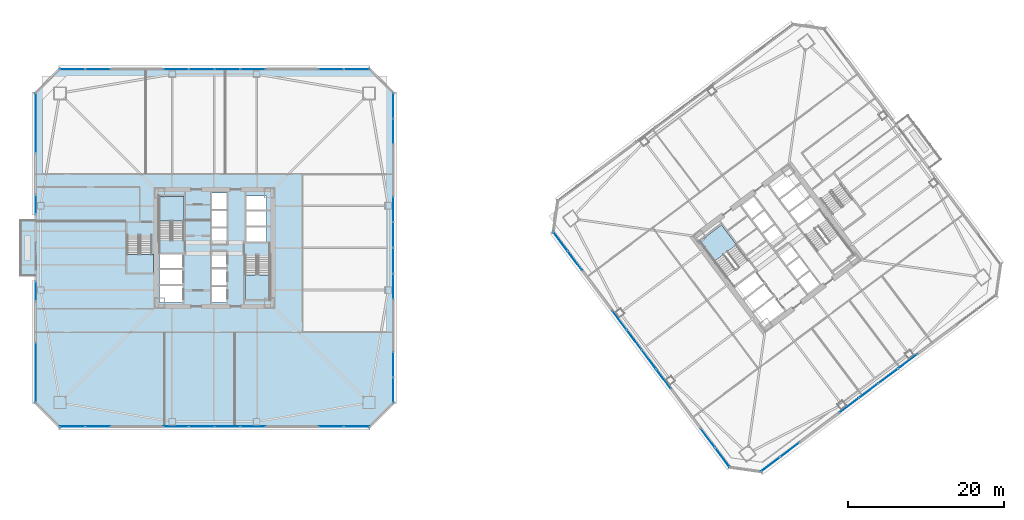
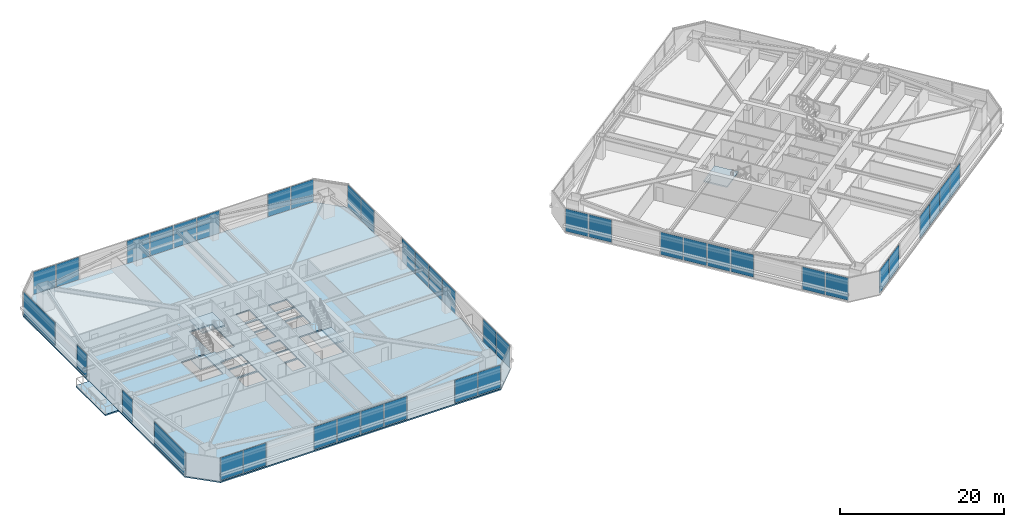
# One storey, part 33 of 47: 42 plates, 6 slabs, 22 elements without a shape of their own.
"""IFC4 building model written with IfcOpenShell, lengths in metres."""

from ifc_helpers import new_model, si_unit, direction, frame, origin, origin_2d, place, context, subcontext, project, spatial, polyline, rectangle, outline, extrude, material, layer, layer_set, type_object, element, aggregate, save


model = new_model("IFC4")

# Units and contexts
model_context = context("Model", 3, precision=1e-05, world=origin(), true_north=direction((0.0, 1.0)))
body_context = subcontext(model_context, "Body", "Model", "MODEL_VIEW")
ifc_project = project(units=[si_unit("LENGTHUNIT", "METRE"), si_unit("AREAUNIT", "SQUARE_METRE"), si_unit("VOLUMEUNIT", "CUBIC_METRE"), si_unit("PLANEANGLEUNIT", "RADIAN"), si_unit("MASSUNIT", "GRAM", prefix="KILO")], contexts=[model_context])

# Site, building, storey
site_placement = place(None, origin())
site = spatial("IfcSite", under=ifc_project, at=site_placement, CompositionType="ELEMENT")
building_placement = place(site_placement, origin())
building = spatial("IfcBuilding", under=site, at=building_placement, Name="Tashvorn Skyway Center", CompositionType="ELEMENT")
storey_placement = place(building_placement, frame((0.0, 0.0, 42.35009765625)))
storey = spatial("IfcBuildingStorey", under=building, at=storey_placement, Name="L10", CompositionType="ELEMENT", Elevation=42.35009765625)

# Curtain wall, plates
ifc_material_1 = material(Name="Thermally broken bronze-anodized aluminium 6063-T6", Category="aluminium")
curtain_wall_type = type_object("IfcCurtainWallType", Name="CW-CW-Z1", PredefinedType="NOTDEFINED", material=ifc_material_1)
curtain_wall_1_placement = place(storey_placement, origin())
curtain_wall_1 = element("IfcCurtainWall", 1, at=curtain_wall_1_placement, inside=storey, type_object=curtain_wall_type, Name="Tower 1 L10 South Unitised Curtain Wall Glazing Group 1", PredefinedType="NOTDEFINED")
ifc_material_2 = material(Name="Low-E solar-control double insulating safety glass", Category="glass")
ifc_layer_1 = layer(ifc_material_2, 0.048095703125)
ifc_layer_set_1 = layer_set([ifc_layer_1], Name="Low-E solar-control double insulating safety glass")
plate_type = type_object("IfcPlateType", Name="CWP-CW-Z1", PredefinedType="CURTAIN_PANEL", material=ifc_layer_set_1)
plate_1_placement = place(storey_placement, frame((60.2021484375, 9.1201171875, 0.0849609375), z_axis=(0.0, 0.0, 1.0), x_axis=(-1.0, 0.0, 0.0)))
plate_1 = element("IfcPlate", 2, at=plate_1_placement, type_object=plate_type, Name="CW-Z1 panel 1.1", PredefinedType="CURTAIN_PANEL", context=body_context, shape_type="SweptSolid", body=[
    extrude(rectangle(XDim=3.185791015625, YDim=0.048095703125, at=origin_2d()), origin(), (0.0, 0.0, 1.0), 3.3798828125),
])
plate_2_placement = place(storey_placement, frame((56.93115234375, 9.1201171875, 0.0849609375), z_axis=(0.0, 0.0, 1.0), x_axis=(-1.0, 0.0, 0.0)))
plate_2 = element("IfcPlate", 3, at=plate_2_placement, type_object=plate_type, Name="CW-Z1 panel 2.1", PredefinedType="CURTAIN_PANEL", context=body_context, shape_type="SweptSolid", body=[
    extrude(rectangle(XDim=3.185791015625, YDim=0.048095703125, at=origin_2d()), origin(), (0.0, 0.0, 1.0), 3.3798828125),
])
aggregate(curtain_wall_1, [plate_1, plate_2])

curtain_wall_2_placement = place(storey_placement, origin())
curtain_wall_2 = element("IfcCurtainWall", 4, at=curtain_wall_2_placement, inside=storey, type_object=curtain_wall_type, Name="Tower 1 L10 South Unitised Curtain Wall Glazing Group 2", PredefinedType="NOTDEFINED")
plate_3_placement = place(storey_placement, frame((46.94873046875, 9.1201171875, 0.0849609375), z_axis=(0.0, 0.0, 1.0), x_axis=(-1.0, 0.0, 0.0)))
plate_3 = element("IfcPlate", 5, at=plate_3_placement, type_object=plate_type, Name="CW-Z1 panel 1.1", PredefinedType="CURTAIN_PANEL", context=body_context, shape_type="SweptSolid", body=[
    extrude(rectangle(XDim=3.185791015625, YDim=0.048095703125, at=origin_2d()), origin(), (0.0, 0.0, 1.0), 3.3798828125),
])
plate_4_placement = place(storey_placement, frame((43.65673828125, 9.1201171875, 0.0849609375), z_axis=(0.0, 0.0, 1.0), x_axis=(-1.0, 0.0, 0.0)))
plate_4 = element("IfcPlate", 6, at=plate_4_placement, type_object=plate_type, Name="CW-Z1 panel 2.1", PredefinedType="CURTAIN_PANEL", context=body_context, shape_type="SweptSolid", body=[
    extrude(rectangle(XDim=3.228271484375, YDim=0.048095703125, at=origin_2d()), origin(), (0.0, 0.0, 1.0), 3.3798828125),
])
plate_5_placement = place(storey_placement, frame((40.34326171875, 9.1201171875, 0.0849609375), z_axis=(0.0, 0.0, 1.0), x_axis=(-1.0, 0.0, 0.0)))
plate_5 = element("IfcPlate", 7, at=plate_5_placement, type_object=plate_type, Name="CW-Z1 panel 3.1", PredefinedType="CURTAIN_PANEL", context=body_context, shape_type="SweptSolid", body=[
    extrude(rectangle(XDim=3.228271484375, YDim=0.048095703125, at=origin_2d()), origin(), (0.0, 0.0, 1.0), 3.3798828125),
])
plate_6_placement = place(storey_placement, frame((37.05126953125, 9.1201171875, 0.0849609375), z_axis=(0.0, 0.0, 1.0), x_axis=(-1.0, 0.0, 0.0)))
plate_6 = element("IfcPlate", 8, at=plate_6_placement, type_object=plate_type, Name="CW-Z1 panel 4.1", PredefinedType="CURTAIN_PANEL", context=body_context, shape_type="SweptSolid", body=[
    extrude(rectangle(XDim=3.185791015625, YDim=0.048095703125, at=origin_2d()), origin(), (0.0, 0.0, 1.0), 3.3798828125),
])
aggregate(curtain_wall_2, [plate_3, plate_4, plate_5, plate_6])

curtain_wall_3_placement = place(storey_placement, origin())
curtain_wall_3 = element("IfcCurtainWall", 9, at=curtain_wall_3_placement, inside=storey, type_object=curtain_wall_type, Name="Tower 1 L10 South Unitised Curtain Wall Glazing Group 3", PredefinedType="NOTDEFINED")
plate_7_placement = place(storey_placement, frame((27.06884765625, 9.1201171875, 0.0849609375), z_axis=(0.0, 0.0, 1.0), x_axis=(-1.0, 0.0, 0.0)))
plate_7 = element("IfcPlate", 10, at=plate_7_placement, type_object=plate_type, Name="CW-Z1 panel 1.1", PredefinedType="CURTAIN_PANEL", context=body_context, shape_type="SweptSolid", body=[
    extrude(rectangle(XDim=3.185791015625, YDim=0.048095703125, at=origin_2d()), origin(), (0.0, 0.0, 1.0), 3.3798828125),
])
plate_8_placement = place(storey_placement, frame((23.7978515625, 9.1201171875, 0.0849609375), z_axis=(0.0, 0.0, 1.0), x_axis=(-1.0, 0.0, 0.0)))
plate_8 = element("IfcPlate", 11, at=plate_8_placement, type_object=plate_type, Name="CW-Z1 panel 2.1", PredefinedType="CURTAIN_PANEL", context=body_context, shape_type="SweptSolid", body=[
    extrude(rectangle(XDim=3.185791015625, YDim=0.048095703125, at=origin_2d()), origin(), (0.0, 0.0, 1.0), 3.3798828125),
])
aggregate(curtain_wall_3, [plate_7, plate_8])

# Curtain wall, plate
curtain_wall_4_placement = place(storey_placement, origin())
curtain_wall_4 = element("IfcCurtainWall", 12, at=curtain_wall_4_placement, inside=storey, type_object=curtain_wall_type, Name="Tower 1 L10 West Curtain Wall L Glazing Group 1", PredefinedType="NOTDEFINED")
plate_9_placement = place(storey_placement, frame((19.1201171875, 16.027587890625, 0.0849609375), z_axis=(0.0, 0.0, 1.0), x_axis=(0.0, 1.0, 0.0)))
plate_9 = element("IfcPlate", 13, at=plate_9_placement, type_object=plate_type, Name="CW-Z1 panel 1.1", PredefinedType="CURTAIN_PANEL", context=body_context, shape_type="SweptSolid", body=[
    extrude(rectangle(XDim=7.64501953125, YDim=0.048095703125, at=origin_2d()), origin(), (0.0, 0.0, 1.0), 3.3798828125),
])
aggregate(curtain_wall_4, [plate_9])

curtain_wall_5_placement = place(storey_placement, origin())
curtain_wall_5 = element("IfcCurtainWall", 14, at=curtain_wall_5_placement, inside=storey, type_object=curtain_wall_type, Name="Tower 1 L10 West Curtain Wall L Glazing Group 2", PredefinedType="NOTDEFINED")
plate_10_placement = place(storey_placement, frame((19.1201171875, 26.447509765625, 0.0849609375), z_axis=(0.0, 0.0, 1.0), x_axis=(0.0, 1.0, 0.0)))
plate_10 = element("IfcPlate", 15, at=plate_10_placement, type_object=plate_type, Name="CW-Z1 panel 1.1", PredefinedType="CURTAIN_PANEL", context=body_context, shape_type="SweptSolid", body=[
    extrude(rectangle(XDim=2.43505859375, YDim=0.048095703125, at=origin_2d()), origin(), (0.0, 0.0, 1.0), 3.3798828125),
])
aggregate(curtain_wall_5, [plate_10])

curtain_wall_6_placement = place(storey_placement, origin())
curtain_wall_6 = element("IfcCurtainWall", 16, at=curtain_wall_6_placement, inside=storey, type_object=curtain_wall_type, Name="Tower 1 L10 West Curtain Wall R Glazing Group 1", PredefinedType="NOTDEFINED")
plate_11_placement = place(storey_placement, frame((19.1201171875, 37.552490234375, 0.0849609375), z_axis=(0.0, 0.0, 1.0), x_axis=(0.0, 1.0, 0.0)))
plate_11 = element("IfcPlate", 17, at=plate_11_placement, type_object=plate_type, Name="CW-Z1 panel 1.1", PredefinedType="CURTAIN_PANEL", context=body_context, shape_type="SweptSolid", body=[
    extrude(rectangle(XDim=2.43505859375, YDim=0.048095703125, at=origin_2d()), origin(), (0.0, 0.0, 1.0), 3.3798828125),
])
aggregate(curtain_wall_6, [plate_11])

curtain_wall_7_placement = place(storey_placement, origin())
curtain_wall_7 = element("IfcCurtainWall", 18, at=curtain_wall_7_placement, inside=storey, type_object=curtain_wall_type, Name="Tower 1 L10 West Curtain Wall R Glazing Group 2", PredefinedType="NOTDEFINED")
plate_12_placement = place(storey_placement, frame((19.1201171875, 47.972412109375, 0.0849609375), z_axis=(0.0, 0.0, 1.0), x_axis=(0.0, 1.0, 0.0)))
plate_12 = element("IfcPlate", 19, at=plate_12_placement, type_object=plate_type, Name="CW-Z1 panel 1.1", PredefinedType="CURTAIN_PANEL", context=body_context, shape_type="SweptSolid", body=[
    extrude(rectangle(XDim=7.64501953125, YDim=0.048095703125, at=origin_2d()), origin(), (0.0, 0.0, 1.0), 3.3798828125),
])
aggregate(curtain_wall_7, [plate_12])

# Curtain wall, plates
curtain_wall_8_placement = place(storey_placement, origin())
curtain_wall_8 = element("IfcCurtainWall", 20, at=curtain_wall_8_placement, inside=storey, type_object=curtain_wall_type, Name="Tower 1 L10 North Unitised Curtain Wall Glazing Group 1", PredefinedType="NOTDEFINED")
plate_13_placement = place(storey_placement, frame((23.7978515625, 54.8798828125, 0.0849609375), z_axis=(0.0, 0.0, 1.0), x_axis=(1.0, 0.0, 0.0)))
plate_13 = element("IfcPlate", 21, at=plate_13_placement, type_object=plate_type, Name="CW-Z1 panel 1.1", PredefinedType="CURTAIN_PANEL", context=body_context, shape_type="SweptSolid", body=[
    extrude(rectangle(XDim=3.185791015625, YDim=0.048095703125, at=origin_2d()), origin(), (0.0, 0.0, 1.0), 3.3798828125),
])
plate_14_placement = place(storey_placement, frame((27.06884765625, 54.8798828125, 0.0849609375), z_axis=(0.0, 0.0, 1.0), x_axis=(1.0, 0.0, 0.0)))
plate_14 = element("IfcPlate", 22, at=plate_14_placement, type_object=plate_type, Name="CW-Z1 panel 2.1", PredefinedType="CURTAIN_PANEL", context=body_context, shape_type="SweptSolid", body=[
    extrude(rectangle(XDim=3.185791015625, YDim=0.048095703125, at=origin_2d()), origin(), (0.0, 0.0, 1.0), 3.3798828125),
])
aggregate(curtain_wall_8, [plate_13, plate_14])

curtain_wall_9_placement = place(storey_placement, origin())
curtain_wall_9 = element("IfcCurtainWall", 23, at=curtain_wall_9_placement, inside=storey, type_object=curtain_wall_type, Name="Tower 1 L10 North Unitised Curtain Wall Glazing Group 2", PredefinedType="NOTDEFINED")
plate_15_placement = place(storey_placement, frame((37.05126953125, 54.8798828125, 0.0849609375), z_axis=(0.0, 0.0, 1.0), x_axis=(1.0, 0.0, 0.0)))
plate_15 = element("IfcPlate", 24, at=plate_15_placement, type_object=plate_type, Name="CW-Z1 panel 1.1", PredefinedType="CURTAIN_PANEL", context=body_context, shape_type="SweptSolid", body=[
    extrude(rectangle(XDim=3.185791015625, YDim=0.048095703125, at=origin_2d()), origin(), (0.0, 0.0, 1.0), 3.3798828125),
])
plate_16_placement = place(storey_placement, frame((40.34326171875, 54.8798828125, 0.0849609375), z_axis=(0.0, 0.0, 1.0), x_axis=(1.0, 0.0, 0.0)))
plate_16 = element("IfcPlate", 25, at=plate_16_placement, type_object=plate_type, Name="CW-Z1 panel 2.1", PredefinedType="CURTAIN_PANEL", context=body_context, shape_type="SweptSolid", body=[
    extrude(rectangle(XDim=3.228271484375, YDim=0.048095703125, at=origin_2d()), origin(), (0.0, 0.0, 1.0), 3.3798828125),
])
plate_17_placement = place(storey_placement, frame((43.65673828125, 54.8798828125, 0.0849609375), z_axis=(0.0, 0.0, 1.0), x_axis=(1.0, 0.0, 0.0)))
plate_17 = element("IfcPlate", 26, at=plate_17_placement, type_object=plate_type, Name="CW-Z1 panel 3.1", PredefinedType="CURTAIN_PANEL", context=body_context, shape_type="SweptSolid", body=[
    extrude(rectangle(XDim=3.228271484375, YDim=0.048095703125, at=origin_2d()), origin(), (0.0, 0.0, 1.0), 3.3798828125),
])
plate_18_placement = place(storey_placement, frame((46.94873046875, 54.8798828125, 0.0849609375), z_axis=(0.0, 0.0, 1.0), x_axis=(1.0, 0.0, 0.0)))
plate_18 = element("IfcPlate", 27, at=plate_18_placement, type_object=plate_type, Name="CW-Z1 panel 4.1", PredefinedType="CURTAIN_PANEL", context=body_context, shape_type="SweptSolid", body=[
    extrude(rectangle(XDim=3.185791015625, YDim=0.048095703125, at=origin_2d()), origin(), (0.0, 0.0, 1.0), 3.3798828125),
])
aggregate(curtain_wall_9, [plate_15, plate_16, plate_17, plate_18])

curtain_wall_10_placement = place(storey_placement, origin())
curtain_wall_10 = element("IfcCurtainWall", 28, at=curtain_wall_10_placement, inside=storey, type_object=curtain_wall_type, Name="Tower 1 L10 North Unitised Curtain Wall Glazing Group 3", PredefinedType="NOTDEFINED")
plate_19_placement = place(storey_placement, frame((56.93115234375, 54.8798828125, 0.0849609375), z_axis=(0.0, 0.0, 1.0), x_axis=(1.0, 0.0, 0.0)))
plate_19 = element("IfcPlate", 29, at=plate_19_placement, type_object=plate_type, Name="CW-Z1 panel 1.1", PredefinedType="CURTAIN_PANEL", context=body_context, shape_type="SweptSolid", body=[
    extrude(rectangle(XDim=3.185791015625, YDim=0.048095703125, at=origin_2d()), origin(), (0.0, 0.0, 1.0), 3.3798828125),
])
plate_20_placement = place(storey_placement, frame((60.2021484375, 54.8798828125, 0.0849609375), z_axis=(0.0, 0.0, 1.0), x_axis=(1.0, 0.0, 0.0)))
plate_20 = element("IfcPlate", 30, at=plate_20_placement, type_object=plate_type, Name="CW-Z1 panel 2.1", PredefinedType="CURTAIN_PANEL", context=body_context, shape_type="SweptSolid", body=[
    extrude(rectangle(XDim=3.185791015625, YDim=0.048095703125, at=origin_2d()), origin(), (0.0, 0.0, 1.0), 3.3798828125),
])
aggregate(curtain_wall_10, [plate_19, plate_20])

curtain_wall_11_placement = place(storey_placement, origin())
curtain_wall_11 = element("IfcCurtainWall", 31, at=curtain_wall_11_placement, inside=storey, type_object=curtain_wall_type, Name="Tower 1 L10 East Unitised Curtain Wall Glazing Group 1", PredefinedType="NOTDEFINED")
plate_21_placement = place(storey_placement, frame((64.8798828125, 50.2021484375, 0.0849609375), z_axis=(0.0, 0.0, 1.0), x_axis=(0.0, -1.0, 0.0)))
plate_21 = element("IfcPlate", 32, at=plate_21_placement, type_object=plate_type, Name="CW-Z1 panel 1.1", PredefinedType="CURTAIN_PANEL", context=body_context, shape_type="SweptSolid", body=[
    extrude(rectangle(XDim=3.185791015625, YDim=0.048095703125, at=origin_2d()), origin(), (0.0, 0.0, 1.0), 3.3798828125),
])
plate_22_placement = place(storey_placement, frame((64.8798828125, 46.93115234375, 0.0849609375), z_axis=(0.0, 0.0, 1.0), x_axis=(0.0, -1.0, 0.0)))
plate_22 = element("IfcPlate", 33, at=plate_22_placement, type_object=plate_type, Name="CW-Z1 panel 2.1", PredefinedType="CURTAIN_PANEL", context=body_context, shape_type="SweptSolid", body=[
    extrude(rectangle(XDim=3.185791015625, YDim=0.048095703125, at=origin_2d()), origin(), (0.0, 0.0, 1.0), 3.3798828125),
])
aggregate(curtain_wall_11, [plate_21, plate_22])

curtain_wall_12_placement = place(storey_placement, origin())
curtain_wall_12 = element("IfcCurtainWall", 34, at=curtain_wall_12_placement, inside=storey, type_object=curtain_wall_type, Name="Tower 1 L10 East Unitised Curtain Wall Glazing Group 2", PredefinedType="NOTDEFINED")
plate_23_placement = place(storey_placement, frame((64.8798828125, 36.94873046875, 0.0849609375), z_axis=(0.0, 0.0, 1.0), x_axis=(0.0, -1.0, 0.0)))
plate_23 = element("IfcPlate", 35, at=plate_23_placement, type_object=plate_type, Name="CW-Z1 panel 1.1", PredefinedType="CURTAIN_PANEL", context=body_context, shape_type="SweptSolid", body=[
    extrude(rectangle(XDim=3.185791015625, YDim=0.048095703125, at=origin_2d()), origin(), (0.0, 0.0, 1.0), 3.3798828125),
])
plate_24_placement = place(storey_placement, frame((64.8798828125, 33.65673828125, 0.0849609375), z_axis=(0.0, 0.0, 1.0), x_axis=(0.0, -1.0, 0.0)))
plate_24 = element("IfcPlate", 36, at=plate_24_placement, type_object=plate_type, Name="CW-Z1 panel 2.1", PredefinedType="CURTAIN_PANEL", context=body_context, shape_type="SweptSolid", body=[
    extrude(rectangle(XDim=3.228271484375, YDim=0.048095703125, at=origin_2d()), origin(), (0.0, 0.0, 1.0), 3.3798828125),
])
plate_25_placement = place(storey_placement, frame((64.8798828125, 30.34326171875, 0.0849609375), z_axis=(0.0, 0.0, 1.0), x_axis=(0.0, -1.0, 0.0)))
plate_25 = element("IfcPlate", 37, at=plate_25_placement, type_object=plate_type, Name="CW-Z1 panel 3.1", PredefinedType="CURTAIN_PANEL", context=body_context, shape_type="SweptSolid", body=[
    extrude(rectangle(XDim=3.228271484375, YDim=0.048095703125, at=origin_2d()), origin(), (0.0, 0.0, 1.0), 3.3798828125),
])
plate_26_placement = place(storey_placement, frame((64.8798828125, 27.05126953125, 0.0849609375), z_axis=(0.0, 0.0, 1.0), x_axis=(0.0, -1.0, 0.0)))
plate_26 = element("IfcPlate", 38, at=plate_26_placement, type_object=plate_type, Name="CW-Z1 panel 4.1", PredefinedType="CURTAIN_PANEL", context=body_context, shape_type="SweptSolid", body=[
    extrude(rectangle(XDim=3.185791015625, YDim=0.048095703125, at=origin_2d()), origin(), (0.0, 0.0, 1.0), 3.3798828125),
])
aggregate(curtain_wall_12, [plate_23, plate_24, plate_25, plate_26])

curtain_wall_13_placement = place(storey_placement, origin())
curtain_wall_13 = element("IfcCurtainWall", 39, at=curtain_wall_13_placement, inside=storey, type_object=curtain_wall_type, Name="Tower 1 L10 East Unitised Curtain Wall Glazing Group 3", PredefinedType="NOTDEFINED")
plate_27_placement = place(storey_placement, frame((64.8798828125, 17.06884765625, 0.0849609375), z_axis=(0.0, 0.0, 1.0), x_axis=(0.0, -1.0, 0.0)))
plate_27 = element("IfcPlate", 40, at=plate_27_placement, type_object=plate_type, Name="CW-Z1 panel 1.1", PredefinedType="CURTAIN_PANEL", context=body_context, shape_type="SweptSolid", body=[
    extrude(rectangle(XDim=3.185791015625, YDim=0.048095703125, at=origin_2d()), origin(), (0.0, 0.0, 1.0), 3.3798828125),
])
plate_28_placement = place(storey_placement, frame((64.8798828125, 13.7978515625, 0.0849609375), z_axis=(0.0, 0.0, 1.0), x_axis=(0.0, -1.0, 0.0)))
plate_28 = element("IfcPlate", 41, at=plate_28_placement, type_object=plate_type, Name="CW-Z1 panel 2.1", PredefinedType="CURTAIN_PANEL", context=body_context, shape_type="SweptSolid", body=[
    extrude(rectangle(XDim=3.185791015625, YDim=0.048095703125, at=origin_2d()), origin(), (0.0, 0.0, 1.0), 3.3798828125),
])
aggregate(curtain_wall_13, [plate_27, plate_28])

curtain_wall_14_placement = place(storey_placement, origin())
curtain_wall_14 = element("IfcCurtainWall", 42, at=curtain_wall_14_placement, inside=storey, type_object=curtain_wall_type, Name="Tower 2 L10 South Unitised Curtain Wall Glazing Group 2", PredefinedType="NOTDEFINED")
plate_29_placement = place(storey_placement, frame((130.76708984375, 17.475341796875, 0.0849609375), z_axis=(0.0, 0.0, 1.0), x_axis=(-0.800001906763, -0.599997457641, 0.0)))
plate_29 = element("IfcPlate", 43, at=plate_29_placement, type_object=plate_type, Name="CW-Z1 panel 1.1", PredefinedType="CURTAIN_PANEL", context=body_context, shape_type="SweptSolid", body=[
    extrude(rectangle(XDim=3.019287109375, YDim=0.048095703125, at=origin_2d()), origin(), (0.0, 0.0, 1.0), 3.3798828125),
])
plate_30_placement = place(storey_placement, frame((128.2666015625, 15.60009765625, 0.0849609375), z_axis=(0.0, 0.0, 1.0), x_axis=(-0.800001906763, -0.599997457641, 0.0)))
plate_30 = element("IfcPlate", 44, at=plate_30_placement, type_object=plate_type, Name="CW-Z1 panel 2.1", PredefinedType="CURTAIN_PANEL", context=body_context, shape_type="SweptSolid", body=[
    extrude(rectangle(XDim=3.061767578125, YDim=0.048095703125, at=origin_2d()), origin(), (0.0, 0.0, 1.0), 3.3798828125),
])
plate_31_placement = place(storey_placement, frame((125.749267578125, 13.7119140625, 0.0849609375), z_axis=(0.0, 0.0, 1.0), x_axis=(-0.800001906763, -0.599997457641, 0.0)))
plate_31 = element("IfcPlate", 45, at=plate_31_placement, type_object=plate_type, Name="CW-Z1 panel 3.1", PredefinedType="CURTAIN_PANEL", context=body_context, shape_type="SweptSolid", body=[
    extrude(rectangle(XDim=3.061767578125, YDim=0.048095703125, at=origin_2d()), origin(), (0.0, 0.0, 1.0), 3.3798828125),
])
plate_32_placement = place(storey_placement, frame((123.2490234375, 11.836669921875, 0.0849609375), z_axis=(0.0, 0.0, 1.0), x_axis=(-0.800001906763, -0.599997457641, 0.0)))
plate_32 = element("IfcPlate", 46, at=plate_32_placement, type_object=plate_type, Name="CW-Z1 panel 4.1", PredefinedType="CURTAIN_PANEL", context=body_context, shape_type="SweptSolid", body=[
    extrude(rectangle(XDim=3.019287109375, YDim=0.048095703125, at=origin_2d()), origin(), (0.0, 0.0, 1.0), 3.3798828125),
])
aggregate(curtain_wall_14, [plate_29, plate_30, plate_31, plate_32])

curtain_wall_15_placement = place(storey_placement, origin())
curtain_wall_15 = element("IfcCurtainWall", 47, at=curtain_wall_15_placement, inside=storey, type_object=curtain_wall_type, Name="Tower 2 L10 South Unitised Curtain Wall Glazing Group 3", PredefinedType="NOTDEFINED")
plate_33_placement = place(storey_placement, frame((115.6630859375, 6.147216796875, 0.0849609375), z_axis=(0.0, 0.0, 1.0), x_axis=(-0.800001906763, -0.599997457641, 0.0)))
plate_33 = element("IfcPlate", 48, at=plate_33_placement, type_object=plate_type, Name="CW-Z1 panel 1.1", PredefinedType="CURTAIN_PANEL", context=body_context, shape_type="SweptSolid", body=[
    extrude(rectangle(XDim=3.019287109375, YDim=0.048095703125, at=origin_2d()), origin(), (0.0, 0.0, 1.0), 3.3798828125),
])
plate_34_placement = place(storey_placement, frame((113.1796875, 4.28466796875, 0.0849609375), z_axis=(0.0, 0.0, 1.0), x_axis=(-0.800001906763, -0.599997457641, 0.0)))
plate_34 = element("IfcPlate", 49, at=plate_34_placement, type_object=plate_type, Name="CW-Z1 panel 2.1", PredefinedType="CURTAIN_PANEL", context=body_context, shape_type="SweptSolid", body=[
    extrude(rectangle(XDim=3.019287109375, YDim=0.048095703125, at=origin_2d()), origin(), (0.0, 0.0, 1.0), 3.3798828125),
])
aggregate(curtain_wall_15, [plate_33, plate_34])

curtain_wall_16_placement = place(storey_placement, origin())
curtain_wall_16 = element("IfcCurtainWall", 50, at=curtain_wall_16_placement, inside=storey, type_object=curtain_wall_type, Name="Tower 2 L10 West Unitised Curtain Wall Glazing Group 1", PredefinedType="NOTDEFINED")
plate_35_placement = place(storey_placement, frame((107.02734375, 5.16357421875, 0.0849609375), z_axis=(0.0, 0.0, 1.0), x_axis=(-0.599997457641, 0.800001906763, 0.0)))
plate_35 = element("IfcPlate", 51, at=plate_35_placement, type_object=plate_type, Name="CW-Z1 panel 1.1", PredefinedType="CURTAIN_PANEL", context=body_context, shape_type="SweptSolid", body=[
    extrude(rectangle(XDim=3.019287109375, YDim=0.048095703125, at=origin_2d()), origin(), (0.0, 0.0, 1.0), 3.3798828125),
])
plate_36_placement = place(storey_placement, frame((105.164794921875, 7.64697265625, 0.0849609375), z_axis=(0.0, 0.0, 1.0), x_axis=(-0.599997457641, 0.800001906763, 0.0)))
plate_36 = element("IfcPlate", 52, at=plate_36_placement, type_object=plate_type, Name="CW-Z1 panel 2.1", PredefinedType="CURTAIN_PANEL", context=body_context, shape_type="SweptSolid", body=[
    extrude(rectangle(XDim=3.019287109375, YDim=0.048095703125, at=origin_2d()), origin(), (0.0, 0.0, 1.0), 3.3798828125),
])
aggregate(curtain_wall_16, [plate_35, plate_36])

curtain_wall_17_placement = place(storey_placement, origin())
curtain_wall_17 = element("IfcCurtainWall", 53, at=curtain_wall_17_placement, inside=storey, type_object=curtain_wall_type, Name="Tower 2 L10 West Unitised Curtain Wall Glazing Group 2", PredefinedType="NOTDEFINED")
plate_37_placement = place(storey_placement, frame((99.475341796875, 15.23291015625, 0.0849609375), z_axis=(0.0, 0.0, 1.0), x_axis=(-0.599997457641, 0.800001906763, 0.0)))
plate_37 = element("IfcPlate", 54, at=plate_37_placement, type_object=plate_type, Name="CW-Z1 panel 1.1", PredefinedType="CURTAIN_PANEL", context=body_context, shape_type="SweptSolid", body=[
    extrude(rectangle(XDim=3.019287109375, YDim=0.048095703125, at=origin_2d()), origin(), (0.0, 0.0, 1.0), 3.3798828125),
])
plate_38_placement = place(storey_placement, frame((97.60009765625, 17.7333984375, 0.0849609375), z_axis=(0.0, 0.0, 1.0), x_axis=(-0.599997457641, 0.800001906763, 0.0)))
plate_38 = element("IfcPlate", 55, at=plate_38_placement, type_object=plate_type, Name="CW-Z1 panel 2.1", PredefinedType="CURTAIN_PANEL", context=body_context, shape_type="SweptSolid", body=[
    extrude(rectangle(XDim=3.061767578125, YDim=0.048095703125, at=origin_2d()), origin(), (0.0, 0.0, 1.0), 3.3798828125),
])
plate_39_placement = place(storey_placement, frame((95.7119140625, 20.250732421875, 0.0849609375), z_axis=(0.0, 0.0, 1.0), x_axis=(-0.599997457641, 0.800001906763, 0.0)))
plate_39 = element("IfcPlate", 56, at=plate_39_placement, type_object=plate_type, Name="CW-Z1 panel 3.1", PredefinedType="CURTAIN_PANEL", context=body_context, shape_type="SweptSolid", body=[
    extrude(rectangle(XDim=3.061767578125, YDim=0.048095703125, at=origin_2d()), origin(), (0.0, 0.0, 1.0), 3.3798828125),
])
plate_40_placement = place(storey_placement, frame((93.836669921875, 22.7509765625, 0.0849609375), z_axis=(0.0, 0.0, 1.0), x_axis=(-0.599997457641, 0.800001906763, 0.0)))
plate_40 = element("IfcPlate", 57, at=plate_40_placement, type_object=plate_type, Name="CW-Z1 panel 4.1", PredefinedType="CURTAIN_PANEL", context=body_context, shape_type="SweptSolid", body=[
    extrude(rectangle(XDim=3.019287109375, YDim=0.048095703125, at=origin_2d()), origin(), (0.0, 0.0, 1.0), 3.3798828125),
])
aggregate(curtain_wall_17, [plate_37, plate_38, plate_39, plate_40])

curtain_wall_18_placement = place(storey_placement, origin())
curtain_wall_18 = element("IfcCurtainWall", 58, at=curtain_wall_18_placement, inside=storey, type_object=curtain_wall_type, Name="Tower 2 L10 West Unitised Curtain Wall Glazing Group 3", PredefinedType="NOTDEFINED")
plate_41_placement = place(storey_placement, frame((88.147216796875, 30.3369140625, 0.0849609375), z_axis=(0.0, 0.0, 1.0), x_axis=(-0.599997457641, 0.800001906763, 0.0)))
plate_41 = element("IfcPlate", 59, at=plate_41_placement, type_object=plate_type, Name="CW-Z1 panel 1.1", PredefinedType="CURTAIN_PANEL", context=body_context, shape_type="SweptSolid", body=[
    extrude(rectangle(XDim=3.019287109375, YDim=0.048095703125, at=origin_2d()), origin(), (0.0, 0.0, 1.0), 3.3798828125),
])
plate_42_placement = place(storey_placement, frame((86.28466796875, 32.8203125, 0.0849609375), z_axis=(0.0, 0.0, 1.0), x_axis=(-0.599997457641, 0.800001906763, 0.0)))
plate_42 = element("IfcPlate", 60, at=plate_42_placement, type_object=plate_type, Name="CW-Z1 panel 2.1", PredefinedType="CURTAIN_PANEL", context=body_context, shape_type="SweptSolid", body=[
    extrude(rectangle(XDim=3.019287109375, YDim=0.048095703125, at=origin_2d()), origin(), (0.0, 0.0, 1.0), 3.3798828125),
])
aggregate(curtain_wall_18, [plate_41, plate_42])

# Slab
ifc_material_3 = material(Name="Concrete C40/50", Category="concrete")
ifc_layer_2 = layer(ifc_material_3, 0.199951171875)
ifc_layer_set_2 = layer_set([ifc_layer_2], Name="Concrete C40/50")
slab_type_1 = type_object("IfcSlabType", Name="SLAB-FLR-200", PredefinedType="FLOOR", material=ifc_layer_set_2)
slab_1_placement = place(storey_placement, frame((0.0, 0.0, -0.2001953125)))
element("IfcSlab", 61, at=slab_1_placement, inside=storey, type_object=slab_type_1, Name="Tower 1 L10 Composite Floor Slab", PredefinedType="FLOOR", context=body_context, shape_type="SweptSolid", body=[
    extrude(outline(polyline([(22.199951171875, 9.0), (61.800048828125, 9.0), (65.0, 12.199951171875), (65.0, 51.800048828125), (61.800048828125, 55.0), (22.199951171875, 55.0), (19.0, 51.800048828125), (19.0, 12.199951171875), (22.199951171875, 9.0)]), holes=[polyline([(38.10009765625, 33.080078125), (38.10009765625, 38.60009765625), (34.89990234375, 38.60009765625), (34.89990234375, 33.080078125), (38.10009765625, 33.080078125)]), polyline([(45.89990234375, 30.919921875), (45.89990234375, 25.39990234375), (49.10009765625, 25.39990234375), (49.10009765625, 30.919921875), (45.89990234375, 30.919921875)]), polyline([(30.800048828125, 33.52001953125), (30.800048828125, 28.800048828125), (34.0, 28.800048828125), (34.0, 33.52001953125), (30.800048828125, 33.52001953125)]), polyline([(34.949951171875, 29.35009765625), (37.949951171875, 29.35009765625), (37.949951171875, 31.199951171875), (34.949951171875, 31.199951171875), (34.949951171875, 29.35009765625)]), polyline([(34.949951171875, 27.35009765625), (37.949951171875, 27.35009765625), (37.949951171875, 29.199951171875), (34.949951171875, 29.199951171875), (34.949951171875, 27.35009765625)]), polyline([(34.949951171875, 25.0), (37.949951171875, 25.0), (37.949951171875, 27.14990234375), (34.949951171875, 27.14990234375), (34.949951171875, 25.0)]), polyline([(41.64990234375, 25.0), (43.550048828125, 25.0), (43.550048828125, 27.050048828125), (41.64990234375, 27.050048828125), (41.64990234375, 25.0)]), polyline([(41.64990234375, 27.25), (43.550048828125, 27.25), (43.550048828125, 29.300048828125), (41.64990234375, 29.300048828125), (41.64990234375, 27.25)]), polyline([(41.64990234375, 29.5), (43.550048828125, 29.5), (43.550048828125, 31.550048828125), (41.64990234375, 31.550048828125), (41.64990234375, 29.5)]), polyline([(41.64990234375, 32.449951171875), (43.550048828125, 32.449951171875), (43.550048828125, 34.5), (41.64990234375, 34.5), (41.64990234375, 32.449951171875)]), polyline([(41.64990234375, 34.699951171875), (43.550048828125, 34.699951171875), (43.550048828125, 36.75), (41.64990234375, 36.75), (41.64990234375, 34.699951171875)]), polyline([(41.64990234375, 36.949951171875), (43.550048828125, 36.949951171875), (43.550048828125, 39.0), (41.64990234375, 39.0), (41.64990234375, 36.949951171875)]), polyline([(46.050048828125, 32.800048828125), (48.64990234375, 32.800048828125), (48.64990234375, 34.64990234375), (46.050048828125, 34.64990234375), (46.050048828125, 32.800048828125)]), polyline([(46.050048828125, 34.85009765625), (48.64990234375, 34.85009765625), (48.64990234375, 36.699951171875), (46.050048828125, 36.699951171875), (46.050048828125, 34.85009765625)]), polyline([(46.050048828125, 36.89990234375), (48.64990234375, 36.89990234375), (48.64990234375, 38.64990234375), (46.050048828125, 38.64990234375), (46.050048828125, 36.89990234375)])]), origin(), (0.0, 0.0, 1.0), 0.2001953125),
])

# Stair, slab
stair_type = type_object("IfcStairType", Name="STAIR-CORE-1500", PredefinedType="HALF_TURN_STAIR", material=ifc_material_3)
stair_1_placement = place(storey_placement, origin())
stair_1 = element("IfcStair", 62, at=stair_1_placement, inside=storey, type_object=stair_type, Name="L10 Tower 1 Exit Stair 1", PredefinedType="HALF_TURN_STAIR")
ifc_layer_3 = layer(ifc_material_3, 0.199951171875)
ifc_layer_set_3 = layer_set([ifc_layer_3], Name="Concrete C40/50")
slab_type_2 = type_object("IfcSlabType", Name="SLAB-LAND-200", PredefinedType="LANDING", material=ifc_layer_set_3)
slab_2_placement = place(storey_placement, frame((0.0, 0.0, 1.574951171875)))
slab_2 = element("IfcSlab", 63, at=slab_2_placement, type_object=slab_type_2, Name="ST-T1-1 landing 1", PredefinedType="LANDING", context=body_context, shape_type="SweptSolid", body=[
    extrude(outline(polyline([(38.10009765625, 35.43994140625), (38.10009765625, 38.60009765625), (34.89990234375, 38.60009765625), (34.89990234375, 35.43994140625), (38.10009765625, 35.43994140625)])), origin(), (0.0, 0.0, 1.0), 0.199951171875),
])
aggregate(stair_1, [slab_2])

stair_2_placement = place(storey_placement, origin())
stair_2 = element("IfcStair", 64, at=stair_2_placement, inside=storey, type_object=stair_type, Name="L10 Tower 1 Exit Stair 2", PredefinedType="HALF_TURN_STAIR")
slab_3_placement = place(storey_placement, frame((0.0, 0.0, 1.574951171875)))
slab_3 = element("IfcSlab", 65, at=slab_3_placement, type_object=slab_type_2, Name="ST-T1-2 landing 1", PredefinedType="LANDING", context=body_context, shape_type="SweptSolid", body=[
    extrude(outline(polyline([(45.89990234375, 28.56005859375), (45.89990234375, 25.39990234375), (49.10009765625, 25.39990234375), (49.10009765625, 28.56005859375), (45.89990234375, 28.56005859375)])), origin(), (0.0, 0.0, 1.0), 0.199951171875),
])
aggregate(stair_2, [slab_3])

stair_3_placement = place(storey_placement, origin())
stair_3 = element("IfcStair", 66, at=stair_3_placement, inside=storey, type_object=stair_type, Name="L10 Tower 2 Exit Stair 1", PredefinedType="HALF_TURN_STAIR")
slab_4_placement = place(storey_placement, frame((0.0, 0.0, 1.574951171875)))
slab_4 = element("IfcSlab", 67, at=slab_4_placement, type_object=slab_type_2, Name="ST-T2-1 landing 1", PredefinedType="LANDING", context=body_context, shape_type="SweptSolid", body=[
    extrude(outline(polyline([(108.82080078125, 32.405517578125), (106.919921875, 34.93994140625), (104.135986328125, 32.85205078125), (106.036865234375, 30.317626953125), (108.82080078125, 32.405517578125)])), origin(), (0.0, 0.0, 1.0), 0.199951171875),
])
aggregate(stair_3, [slab_4])

stair_4_placement = place(storey_placement, origin())
stair_4 = element("IfcStair", 68, at=stair_4_placement, inside=storey, type_object=stair_type, Name="L10 Tower 1 Exit Stair 3", PredefinedType="HALF_TURN_STAIR")
slab_5_placement = place(storey_placement, frame((0.0, 0.0, 1.574951171875)))
slab_5 = element("IfcSlab", 69, at=slab_5_placement, type_object=slab_type_2, Name="ST-T1-3 landing 1", PredefinedType="LANDING", context=body_context, shape_type="SweptSolid", body=[
    extrude(outline(polyline([(30.800048828125, 31.159912109375), (30.800048828125, 28.800048828125), (34.199951171875, 28.800048828125), (34.199951171875, 31.159912109375), (30.800048828125, 31.159912109375)])), origin(), (0.0, 0.0, 1.0), 0.199951171875),
])
aggregate(stair_4, [slab_5])

# Slab
ifc_layer_4 = layer(ifc_material_3, 0.179931640625)
ifc_layer_set_4 = layer_set([ifc_layer_4], Name="Concrete C40/50")
slab_type_3 = type_object("IfcSlabType", Name="SLAB-TERR-200", PredefinedType="FLOOR", material=ifc_layer_set_4)
slab_6_placement = place(storey_placement, frame((0.0, 0.0, -0.2001953125)))
element("IfcSlab", 70, at=slab_6_placement, inside=storey, type_object=slab_type_3, Name="Tower 1 L10 Spiral Planted Terrace Slab", PredefinedType="FLOOR", context=body_context, shape_type="SweptSolid", body=[
    extrude(outline(polyline([(17.10009765625, 28.39990234375), (19.010009765625, 28.39990234375), (19.010009765625, 35.60009765625), (17.10009765625, 35.60009765625), (17.10009765625, 28.39990234375)])), origin(), (0.0, 0.0, 1.0), 0.2001953125),
])

save(model, "model.ifc")
